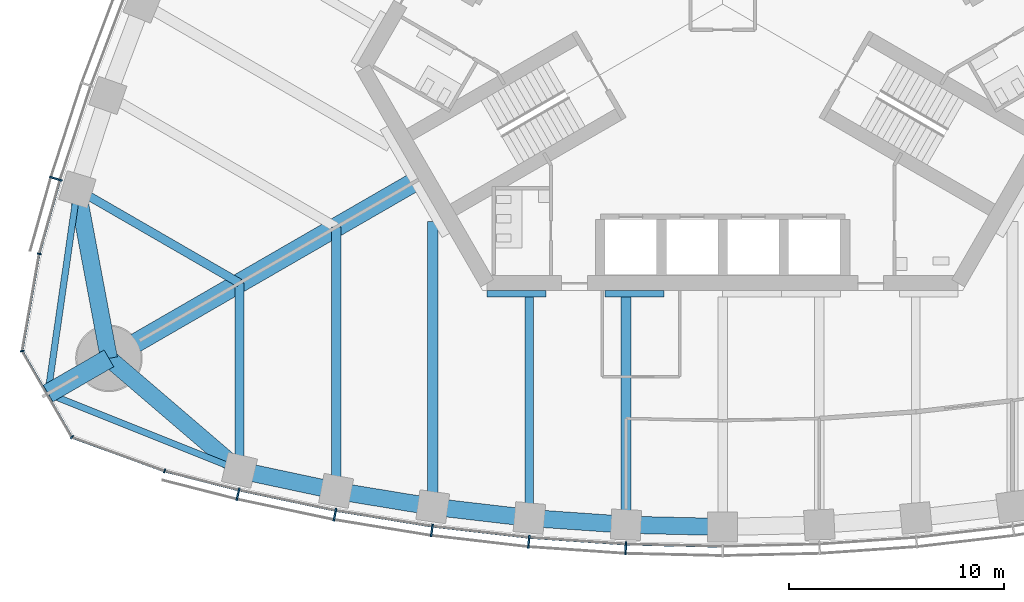
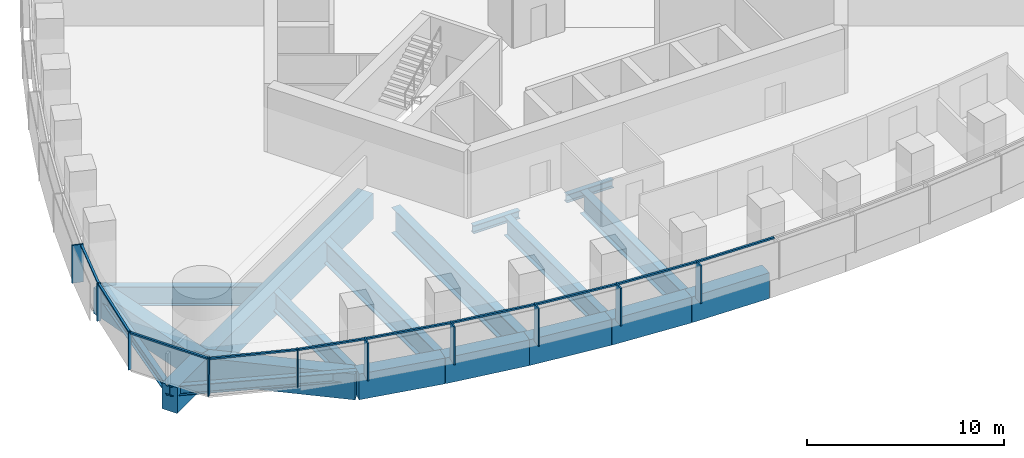
# One storey, part 2 of 19: 20 members, 19 beams, 3 elements without a shape of their own.
"""IFC4 building model written with IfcOpenShell, lengths in metres."""

from ifc_helpers import new_model, si_unit, direction, frame, origin, origin_2d, place, context, subcontext, project, spatial, rectangle, i_section, extrude, material, material_profile, profile_set, type_object, element, aggregate, save


model = new_model("IFC4")

# Units and contexts
model_context = context("Model", 3, precision=1e-05, world=origin(), true_north=direction((0.0, 1.0)))
body_context = subcontext(model_context, "Body", "Model", "MODEL_VIEW")
ifc_project = project(units=[si_unit("LENGTHUNIT", "METRE"), si_unit("AREAUNIT", "SQUARE_METRE"), si_unit("VOLUMEUNIT", "CUBIC_METRE"), si_unit("PLANEANGLEUNIT", "RADIAN"), si_unit("MASSUNIT", "GRAM", prefix="KILO")], contexts=[model_context])

# Site, building, storey
site_placement = place(None, origin())
site = spatial("IfcSite", under=ifc_project, at=site_placement, CompositionType="ELEMENT")
building_placement = place(site_placement, origin())
building = spatial("IfcBuilding", under=site, at=building_placement, Name="Trefoil Bronze Tower", CompositionType="ELEMENT")
storey_placement = place(building_placement, frame((0.0, 0.0, 261.10009765625)))
storey = spatial("IfcBuildingStorey", under=building, at=storey_placement, Name="L60", CompositionType="ELEMENT", Elevation=261.10009765625)

# Curtain wall, members
ifc_material_1 = material(Name="Tinted solar-control glass", Category="glass")
curtain_wall_type_1 = type_object("IfcCurtainWallType", Name="Bronze office curtain wall", PredefinedType="USERDEFINED", material=ifc_material_1)
curtain_wall_1_placement = place(storey_placement, origin())
curtain_wall_1 = element("IfcCurtainWall", 1, at=curtain_wall_1_placement, inside=storey, type_object=curtain_wall_type_1, Name="CW-A L60 F1", ObjectType="CURTAIN WALL", PredefinedType="USERDEFINED")
ifc_material_2 = material(Name="Bronze-finish aluminium", Category="aluminium")
ifc_material_profile_1 = material_profile(ifc_material_2, rectangle(XDim=0.60009765625, YDim=0.080078125, at=origin_2d()), Name="CW-A mullion")
ifc_profile_set_1 = profile_set([ifc_material_profile_1], Name="Bronze-finish aluminium")
member_type_1 = type_object("IfcMemberType", Name="Bronze office curtain wall mullion", PredefinedType="MULLION", material=ifc_profile_set_1)
member_1_placement = place(storey_placement, frame((-22.568115234375, -22.82421875, 0.0), z_axis=(0.0, 0.0, 1.0), x_axis=(0.227082662569, 0.973875487093, 0.0)))
member_1 = element("IfcMember", 2, at=member_1_placement, type_object=member_type_1, Name="CW-A L60 F1 mullion 2", PredefinedType="MULLION", context=body_context, shape_type="SweptSolid", body=[
    extrude(rectangle(XDim=0.60009765625, YDim=0.080078125, at=origin_2d()), origin(), (0.0, 0.0, 1.0), 2.349853515625),
])
member_2_placement = place(storey_placement, frame((-18.05517578125, -23.77783203125, 0.0), z_axis=(0.0, 0.0, 1.0), x_axis=(0.183825368167, 0.982958917767, 0.0)))
member_2 = element("IfcMember", 3, at=member_2_placement, type_object=member_type_1, Name="CW-A L60 F1 mullion 3", PredefinedType="MULLION", context=body_context, shape_type="SweptSolid", body=[
    extrude(rectangle(XDim=0.60009765625, YDim=0.080078125, at=origin_2d()), origin(), (0.0, 0.0, 1.0), 2.349853515625),
])
member_3_placement = place(storey_placement, frame((-13.541259765625, -24.51318359375, 0.0), z_axis=(0.0, 0.0, 1.0), x_axis=(0.137867887204, 0.990450627582, 0.0)))
member_3 = element("IfcMember", 4, at=member_3_placement, type_object=member_type_1, Name="CW-A L60 F1 mullion 4", PredefinedType="MULLION", context=body_context, shape_type="SweptSolid", body=[
    extrude(rectangle(XDim=0.60009765625, YDim=0.080078125, at=origin_2d()), origin(), (0.0, 0.0, 1.0), 2.349853515625),
])
member_4_placement = place(storey_placement, frame((-9.027587890625, -25.03515625, 0.0), z_axis=(0.0, 0.0, 1.0), x_axis=(0.091911396394, 0.995767189263, 0.0)))
member_4 = element("IfcMember", 5, at=member_4_placement, type_object=member_type_1, Name="CW-A L60 F1 mullion 5", PredefinedType="MULLION", context=body_context, shape_type="SweptSolid", body=[
    extrude(rectangle(XDim=0.60009765625, YDim=0.080078125, at=origin_2d()), origin(), (0.0, 0.0, 1.0), 2.349853515625),
])
member_5_placement = place(storey_placement, frame((-4.513671875, -25.346923828125, 0.0), z_axis=(0.0, 0.0, 1.0), x_axis=(0.045955542372, 0.998943485952, 0.0)))
member_5 = element("IfcMember", 6, at=member_5_placement, type_object=member_type_1, Name="CW-A L60 F1 mullion 6", PredefinedType="MULLION", context=body_context, shape_type="SweptSolid", body=[
    extrude(rectangle(XDim=0.60009765625, YDim=0.080078125, at=origin_2d()), origin(), (0.0, 0.0, 1.0), 2.349853515625),
])

# Curtain wall, member
curtain_wall_2_placement = place(storey_placement, origin())
curtain_wall_2 = element("IfcCurtainWall", 7, at=curtain_wall_2_placement, inside=storey, type_object=curtain_wall_type_1, Name="CW-A L60 F3", ObjectType="CURTAIN WALL", PredefinedType="USERDEFINED")
member_6_placement = place(storey_placement, frame((-31.05029296875, -8.132568359375, 0.0), z_axis=(0.0, 0.0, 1.0), x_axis=(0.95694224323, -0.290278389002, 0.0)))
member_6 = element("IfcMember", 8, at=member_6_placement, type_object=member_type_1, Name="CW-A L60 F3 mullion 12", PredefinedType="MULLION", context=body_context, shape_type="SweptSolid", body=[
    extrude(rectangle(XDim=0.60009765625, YDim=0.080078125, at=origin_2d()), origin(), (0.0, 0.0, 1.0), 2.349853515625),
])

# Member
ifc_material_3 = material(Name="Bronze-finish aluminium", Category="aluminium")
ifc_material_profile_2 = material_profile(ifc_material_3, rectangle(XDim=0.1201171875, YDim=0.10009765625, at=origin_2d()), Name="CW-A transom")
ifc_profile_set_2 = profile_set([ifc_material_profile_2], Name="Bronze-finish aluminium")
member_type_2 = type_object("IfcMemberType", Name="Bronze office curtain wall transom", PredefinedType="USERDEFINED", material=ifc_profile_set_2)
member_7_placement = place(storey_placement, frame((-25.93896484375, -21.75732421875, 2.2998046875), z_axis=(0.968935220916, -0.247314653162, 0.0), x_axis=(0.247314653162, 0.968935220916, 0.0)))
member_7 = element("IfcMember", 9, at=member_7_placement, type_object=member_type_2, Name="CW-A L60 F1 transom 1", ObjectType="TRANSOM", PredefinedType="USERDEFINED", context=body_context, shape_type="SweptSolid", body=[
    extrude(rectangle(XDim=0.1201171875, YDim=0.10009765625, at=origin_2d()), origin(), (0.0, 0.0, 1.0), 3.483642578125),
])

member_8_placement = place(storey_placement, frame((-22.4814453125, -22.63818359375, 2.2998046875), z_axis=(0.978395325657, -0.20674280334, 0.0), x_axis=(0.20674280334, 0.978395325657, 0.0)))
member_8 = element("IfcMember", 10, at=member_8_placement, type_object=member_type_2, Name="CW-A L60 F1 transom 2", ObjectType="TRANSOM", PredefinedType="USERDEFINED", context=body_context, shape_type="SweptSolid", body=[
    extrude(rectangle(XDim=0.1201171875, YDim=0.10009765625, at=origin_2d()), origin(), (0.0, 0.0, 1.0), 4.519287109375),
])

member_9_placement = place(storey_placement, frame((-17.9765625, -23.588134765625, 2.2998046875), z_axis=(0.986988367046, -0.160791676761, 0.0), x_axis=(0.160791676761, 0.986988367046, 0.0)))
member_9 = element("IfcMember", 11, at=member_9_placement, type_object=member_type_2, Name="CW-A L60 F1 transom 3", ObjectType="TRANSOM", PredefinedType="USERDEFINED", context=body_context, shape_type="SweptSolid", body=[
    extrude(rectangle(XDim=0.1201171875, YDim=0.10009765625, at=origin_2d()), origin(), (0.0, 0.0, 1.0), 4.479248046875),
])

member_10_placement = place(storey_placement, frame((-13.4716796875, -24.320068359375, 2.2998046875), z_axis=(0.993384885596, -0.114832352013, 0.0), x_axis=(0.114832352013, 0.993384885596, 0.0)))
member_10 = element("IfcMember", 12, at=member_10_placement, type_object=member_type_2, Name="CW-A L60 F1 transom 4", ObjectType="TRANSOM", PredefinedType="USERDEFINED", context=body_context, shape_type="SweptSolid", body=[
    extrude(rectangle(XDim=0.1201171875, YDim=0.10009765625, at=origin_2d()), origin(), (0.0, 0.0, 1.0), 4.449951171875),
])

member_11_placement = place(storey_placement, frame((-8.967041015625, -24.8388671875, 2.2998046875), z_axis=(0.997621320987, -0.06893257512, 0.0), x_axis=(0.06893257512, 0.997621320987, 0.0)))
member_11 = element("IfcMember", 13, at=member_11_placement, type_object=member_type_2, Name="CW-A L60 F1 transom 5", ObjectType="TRANSOM", PredefinedType="USERDEFINED", context=body_context, shape_type="SweptSolid", body=[
    extrude(rectangle(XDim=0.1201171875, YDim=0.10009765625, at=origin_2d()), origin(), (0.0, 0.0, 1.0), 4.4306640625),
])

member_12_placement = place(storey_placement, frame((-4.46240234375, -25.148193359375, 2.2998046875), z_axis=(0.999736131416, -0.022971015226, 0.0), x_axis=(0.022971015226, 0.999736131416, 0.0)))
member_12 = element("IfcMember", 14, at=member_12_placement, type_object=member_type_2, Name="CW-A L60 F1 transom 6", ObjectType="TRANSOM", PredefinedType="USERDEFINED", context=body_context, shape_type="SweptSolid", body=[
    extrude(rectangle(XDim=0.1201171875, YDim=0.10009765625, at=origin_2d()), origin(), (0.0, 0.0, 1.0), 4.42138671875),
])

aggregate(curtain_wall_1, [member_1, member_2, member_3, member_4, member_5, member_7, member_8, member_9, member_10, member_11, member_12])

member_13_placement = place(storey_placement, frame((-30.870361328125, -8.23095703125, 2.2998046875), z_axis=(-0.270284880437, -0.962780392097, 0.0), x_axis=(0.962780392097, -0.270284880437, 0.0)))
member_13 = element("IfcMember", 15, at=member_13_placement, type_object=member_type_2, Name="CW-A L60 F3 transom 12", ObjectType="TRANSOM", PredefinedType="USERDEFINED", context=body_context, shape_type="SweptSolid", body=[
    extrude(rectangle(XDim=0.1201171875, YDim=0.10009765625, at=origin_2d()), origin(), (0.0, 0.0, 1.0), 3.48388671875),
])

aggregate(curtain_wall_2, [member_6, member_13])

# Curtain wall, members
ifc_material_4 = material(Name="Tinted solar-control glass", Category="glass")
curtain_wall_type_2 = type_object("IfcCurtainWallType", Name="Bronze rounded corner curtain wall", PredefinedType="USERDEFINED", material=ifc_material_4)
curtain_wall_3_placement = place(storey_placement, origin())
curtain_wall_3 = element("IfcCurtainWall", 16, at=curtain_wall_3_placement, inside=storey, type_object=curtain_wall_type_2, Name="CW-B L60 K3", ObjectType="CURTAIN WALL", PredefinedType="USERDEFINED")
ifc_material_5 = material(Name="Bronze-finish aluminium", Category="aluminium")
ifc_material_profile_3 = material_profile(ifc_material_5, rectangle(XDim=0.199951171875, YDim=0.06005859375, at=origin_2d()), Name="CW-B mullion")
ifc_profile_set_3 = profile_set([ifc_material_profile_3], Name="Bronze-finish aluminium")
member_type_3 = type_object("IfcMemberType", Name="Bronze rounded corner curtain wall mullion", PredefinedType="MULLION", material=ifc_profile_set_3)
member_14_placement = place(storey_placement, frame((-31.824951171875, -11.63330078125, 0.0), z_axis=(0.0, 0.0, 1.0), x_axis=(0.984807753012, -0.173648177667, 0.0)))
member_14 = element("IfcMember", 17, at=member_14_placement, type_object=member_type_3, Name="CW-B L60 K3 mullion 1", PredefinedType="MULLION", context=body_context, shape_type="SweptSolid", body=[
    extrude(rectangle(XDim=0.199951171875, YDim=0.06005859375, at=origin_2d()), origin(), (0.0, 0.0, 1.0), 2.349853515625),
])
member_15_placement = place(storey_placement, frame((-32.616943359375, -16.158935546875, 0.0), z_axis=(0.0, 0.0, 1.0), x_axis=(0.984807753012, 0.173648177667, 0.0)))
member_15 = element("IfcMember", 18, at=member_15_placement, type_object=member_type_3, Name="CW-B L60 K3 mullion 2", PredefinedType="MULLION", context=body_context, shape_type="SweptSolid", body=[
    extrude(rectangle(XDim=0.199951171875, YDim=0.06005859375, at=origin_2d()), origin(), (0.0, 0.0, 1.0), 2.349853515625),
])
member_16_placement = place(storey_placement, frame((-30.302490234375, -20.16748046875, 0.0), z_axis=(0.0, 0.0, 1.0), x_axis=(0.642787609687, 0.766044443119, 0.0)))
member_16 = element("IfcMember", 19, at=member_16_placement, type_object=member_type_3, Name="CW-B L60 K3 mullion 3", PredefinedType="MULLION", context=body_context, shape_type="SweptSolid", body=[
    extrude(rectangle(XDim=0.199951171875, YDim=0.06005859375, at=origin_2d()), origin(), (0.0, 0.0, 1.0), 2.349853515625),
])
member_17_placement = place(storey_placement, frame((-25.9873046875, -21.74462890625, 0.0), z_axis=(0.0, 0.0, 1.0), x_axis=(0.342020143326, 0.939692620786, 0.0)))
member_17 = element("IfcMember", 20, at=member_17_placement, type_object=member_type_3, Name="CW-B L60 K3 mullion 4", PredefinedType="MULLION", context=body_context, shape_type="SweptSolid", body=[
    extrude(rectangle(XDim=0.199951171875, YDim=0.06005859375, at=origin_2d()), origin(), (0.0, 0.0, 1.0), 2.349853515625),
])
ifc_material_6 = material(Name="Bronze-finish aluminium", Category="aluminium")
ifc_material_profile_4 = material_profile(ifc_material_6, rectangle(XDim=0.1201171875, YDim=0.10009765625, at=origin_2d()), Name="CW-B transom")
ifc_profile_set_4 = profile_set([ifc_material_profile_4], Name="Bronze-finish aluminium")
member_type_4 = type_object("IfcMemberType", Name="Bronze rounded corner curtain wall transom", PredefinedType="USERDEFINED", material=ifc_profile_set_4)
member_18_placement = place(storey_placement, frame((-31.830078125, -11.662841796875, 2.2998046875), z_axis=(-0.173655350028, -0.984806488304, 0.0), x_axis=(0.984806488304, -0.173655350028, 0.0)))
member_18 = element("IfcMember", 21, at=member_18_placement, type_object=member_type_4, Name="CW-B L60 K3 transom 1", ObjectType="TRANSOM", PredefinedType="USERDEFINED", context=body_context, shape_type="SweptSolid", body=[
    extrude(rectangle(XDim=0.1201171875, YDim=0.10009765625, at=origin_2d()), origin(), (0.0, 0.0, 1.0), 4.500244140625),
])
member_19_placement = place(storey_placement, frame((-32.590087890625, -16.217529296875, 2.2998046875), z_axis=(0.500007335828, -0.866021168401, 0.0), x_axis=(0.866021168401, 0.500007335828, 0.0)))
member_19 = element("IfcMember", 22, at=member_19_placement, type_object=member_type_4, Name="CW-B L60 K3 transom 2", ObjectType="TRANSOM", PredefinedType="USERDEFINED", context=body_context, shape_type="SweptSolid", body=[
    extrude(rectangle(XDim=0.1201171875, YDim=0.10009765625, at=origin_2d()), origin(), (0.0, 0.0, 1.0), 4.50048828125),
])
member_20_placement = place(storey_placement, frame((-30.244140625, -20.195068359375, 2.2998046875), z_axis=(0.939680910753, -0.342052314664, 0.0), x_axis=(0.342052314664, 0.939680910753, 0.0)))
member_20 = element("IfcMember", 23, at=member_20_placement, type_object=member_type_4, Name="CW-B L60 K3 transom 3", ObjectType="TRANSOM", PredefinedType="USERDEFINED", context=body_context, shape_type="SweptSolid", body=[
    extrude(rectangle(XDim=0.1201171875, YDim=0.10009765625, at=origin_2d()), origin(), (0.0, 0.0, 1.0), 4.500244140625),
])
aggregate(curtain_wall_3, [member_14, member_15, member_16, member_17, member_18, member_19, member_20])

# Beams
ifc_material_7 = material(Name="Steel C355", Category="steel")
ifc_material_profile_5 = material_profile(ifc_material_7, i_section(OverallWidth=0.300048828125, OverallDepth=0.5, WebThickness=0.014404296875, FlangeThickness=0.028076171875, FilletRadius=0.027099609375, at=origin_2d()), Name="HEB 500")
ifc_profile_set_5 = profile_set([ifc_material_profile_5], Name="Steel C355")
beam_type_1 = type_object("IfcBeamType", Name="Core seat beam HEB 500", PredefinedType="BEAM", material=ifc_profile_set_5)
for number, where, z_axis, x_axis, name in (
    (24, (-10.9697265625, -13.5, -0.4501953125), (1.0, 0.0, 0.0), (0.0, 1.0, 0.0), "Core seat beam F1/-2 L60"),
    (25, (-5.48486328125, -13.5, -0.4501953125), (1.0, 0.0, 0.0), (0.0, 1.0, 0.0), "Core seat beam F1/-1 L60"),
):
    element("IfcBeam", number, at=place(storey_placement, frame(where, z_axis=z_axis, x_axis=x_axis)), inside=storey, type_object=beam_type_1, Name=name, PredefinedType="BEAM", context=body_context, shape_type="SweptSolid", body=[
        extrude(i_section(OverallWidth=0.300048828125, OverallDepth=0.5, WebThickness=0.014404296875, FlangeThickness=0.028076171875, FilletRadius=0.027099609375, at=origin_2d()), origin(), (0.0, 0.0, 1.0), 2.742431640625),
    ])
ifc_material_8 = material(Name="Concrete B80", Category="concrete")
ifc_material_profile_6 = material_profile(ifc_material_8, rectangle(XDim=0.89990234375, YDim=1.60009765625, at=origin_2d()), Name="RC 900x1600")
ifc_profile_set_6 = profile_set([ifc_material_profile_6], Name="Concrete B80")
beam_type_2 = type_object("IfcBeamType", Name="Corner cantilever RC 900x1600", PredefinedType="BEAM", material=ifc_profile_set_6)
beam_1_placement = place(storey_placement, frame((-28.578857421875, -16.5, -1.0), z_axis=(-0.866016004958, -0.500016278891, 0.0), x_axis=(0.500016278891, -0.866016004958, 0.0)))
element("IfcBeam", 26, at=beam_1_placement, inside=storey, type_object=beam_type_2, Name="Corner cantilever K3 L60", PredefinedType="BEAM", context=body_context, shape_type="SweptSolid", body=[
    extrude(rectangle(XDim=0.89990234375, YDim=1.60009765625, at=origin_2d()), origin(), (0.0, 0.0, 1.0), 3.28466796875),
])
ifc_material_9 = material(Name="Steel C355", Category="steel")
ifc_material_profile_7 = material_profile(ifc_material_9, i_section(OverallWidth=0.300048828125, OverallDepth=0.60009765625, WebThickness=0.015380859375, FlangeThickness=0.030029296875, FilletRadius=0.027099609375, at=origin_2d()), Name="HEB 600")
ifc_profile_set_7 = profile_set([ifc_material_profile_7], Name="Steel C355")
beam_type_3 = type_object("IfcBeamType", Name="Corner edge beam HEB 600", PredefinedType="BEAM", material=ifc_profile_set_7)
for number, where, z_axis, x_axis, name in (
    (27, (-22.5, -21.71044921875, -0.5), (-0.92852048463, 0.371281173266, 0.0), (-0.371281173266, -0.92852048463, 0.0), "Corner edge beam F1B L60"),
    (28, (-30.052001953125, -8.63037109375, -0.5), (-0.142694489722, -0.989766781925, 0.0), (0.989766781925, -0.142694489722, 0.0), "Corner edge beam F3A L60"),
):
    element("IfcBeam", number, at=place(storey_placement, frame(where, z_axis=z_axis, x_axis=x_axis)), inside=storey, type_object=beam_type_3, Name=name, PredefinedType="BEAM", context=body_context, shape_type="SweptSolid", body=[
        extrude(i_section(OverallWidth=0.300048828125, OverallDepth=0.60009765625, WebThickness=0.015380859375, FlangeThickness=0.030029296875, FilletRadius=0.027099609375, at=origin_2d()), origin(), (0.0, 0.0, 1.0), 9.6103515625),
    ])
ifc_material_10 = material(Name="Concrete B80", Category="concrete")
ifc_material_profile_8 = material_profile(ifc_material_10, rectangle(XDim=0.89990234375, YDim=1.60009765625, at=origin_2d()), Name="RC 900x1600")
ifc_profile_set_8 = profile_set([ifc_material_profile_8], Name="Concrete B80")
beam_type_4 = type_object("IfcBeamType", Name="Corner girder RC 900x1600", PredefinedType="BEAM", material=ifc_profile_set_8)
beam_2_placement = place(storey_placement, frame((-14.159423828125, -8.175048828125, -1.0), z_axis=(-0.866028334591, -0.49999492366, 0.0), x_axis=(0.49999492366, -0.866028334591, 0.0)))
element("IfcBeam", 29, at=beam_2_placement, inside=storey, type_object=beam_type_4, Name="Corner girder K3 L60", PredefinedType="BEAM", context=body_context, shape_type="SweptSolid", body=[
    extrude(rectangle(XDim=0.89990234375, YDim=1.60009765625, at=origin_2d()), origin(), (0.0, 0.0, 1.0), 16.650146484375),
])
ifc_material_11 = material(Name="Concrete B80", Category="concrete")
ifc_material_profile_9 = material_profile(ifc_material_11, rectangle(XDim=0.800048828125, YDim=1.60009765625, at=origin_2d()), Name="RC 800x1600")
ifc_profile_set_9 = profile_set([ifc_material_profile_9], Name="Concrete B80")
beam_type_5 = type_object("IfcBeamType", Name="End spandrel beam RC 800x1600", PredefinedType="SPANDREL", material=ifc_profile_set_9)
for number, where, z_axis, x_axis, name in (
    (30, (-28.578857421875, -16.5, -1.0), (0.759256602365, -0.650791373456, 0.0), (0.650791373456, 0.759256602365, 0.0), "Spandrel F1.1 L60"),
    (31, (-30.052001953125, -8.63037109375, -1.0), (0.18399763073, -0.982926686933, 0.0), (0.982926686933, 0.18399763073, 0.0), "Spandrel F3.12 L60"),
):
    element("IfcBeam", number, at=place(storey_placement, frame(where, z_axis=z_axis, x_axis=x_axis)), inside=storey, type_object=beam_type_5, Name=name, PredefinedType="SPANDREL", context=body_context, shape_type="SweptSolid", body=[
        extrude(rectangle(XDim=0.800048828125, YDim=1.60009765625, at=origin_2d()), origin(), (0.0, 0.0, 1.0), 8.00634765625),
    ])
ifc_material_12 = material(Name="Steel C355", Category="steel")
ifc_material_profile_10 = material_profile(ifc_material_12, i_section(OverallWidth=0.39990234375, OverallDepth=1.199951171875, WebThickness=0.02001953125, FlangeThickness=0.0400390625, FilletRadius=0.010009765625, at=origin_2d()), Name="WPG 1200")
ifc_profile_set_10 = profile_set([ifc_material_profile_10], Name="Steel C355")
beam_type_6 = type_object("IfcBeamType", Name="Floor beam WPG 1200", PredefinedType="BEAM", material=ifc_profile_set_10)
beam_3_placement = place(storey_placement, frame((-22.5, -21.71044921875, -0.800048828125), z_axis=(0.0, 1.0, 0.0), x_axis=(-1.0, 0.0, 0.0)))
element("IfcBeam", 32, at=beam_3_placement, inside=storey, type_object=beam_type_6, Name="Floor beam F1/-5 L60", PredefinedType="BEAM", context=body_context, shape_type="SweptSolid", body=[
    extrude(i_section(OverallWidth=0.39990234375, OverallDepth=1.199951171875, WebThickness=0.02001953125, FlangeThickness=0.0400390625, FilletRadius=0.010009765625, at=origin_2d()), origin(), (0.0, 0.0, 1.0), 8.719970703125),
])
beam_4_placement = place(storey_placement, frame((-9.0, -23.932861328125, -0.800048828125), z_axis=(0.0, 1.0, 0.0), x_axis=(-1.0, 0.0, 0.0)))
element("IfcBeam", 33, at=beam_4_placement, inside=storey, type_object=beam_type_6, Name="Floor beam F1/-2 L60", PredefinedType="BEAM", context=body_context, shape_type="SweptSolid", body=[
    extrude(i_section(OverallWidth=0.39990234375, OverallDepth=1.199951171875, WebThickness=0.02001953125, FlangeThickness=0.0400390625, FilletRadius=0.010009765625, at=origin_2d()), origin(), (0.0, 0.0, 1.0), 10.282958984375),
])
beam_5_placement = place(storey_placement, frame((-30.052001953125, -8.63037109375, -0.800048828125), z_axis=(0.866027535932, -0.499996306993, 0.0), x_axis=(0.499996306993, 0.866027535932, 0.0)))
element("IfcBeam", 34, at=beam_5_placement, inside=storey, type_object=beam_type_6, Name="Floor beam F3/+5 L60", PredefinedType="BEAM", context=body_context, shape_type="SweptSolid", body=[
    extrude(i_section(OverallWidth=0.39990234375, OverallDepth=1.199951171875, WebThickness=0.02001953125, FlangeThickness=0.0400390625, FilletRadius=0.010009765625, at=origin_2d()), origin(), (0.0, 0.0, 1.0), 8.72021484375),
])
ifc_material_13 = material(Name="Steel C355", Category="steel")
ifc_material_profile_11 = material_profile(ifc_material_13, i_section(OverallWidth=0.449951171875, OverallDepth=1.39990234375, WebThickness=0.02294921875, FlangeThickness=0.044921875, FilletRadius=0.011962890625, at=origin_2d()), Name="WPG 1400")
ifc_profile_set_11 = profile_set([ifc_material_profile_11], Name="Steel C355")
beam_type_7 = type_object("IfcBeamType", Name="Floor beam WPG 1400", PredefinedType="BEAM", material=ifc_profile_set_11)
beam_6_placement = place(storey_placement, frame((-18.0, -22.6689453125, -0.900146484375), z_axis=(0.0, 1.0, 0.0), x_axis=(-1.0, 0.0, 0.0)))
element("IfcBeam", 35, at=beam_6_placement, inside=storey, type_object=beam_type_7, Name="Floor beam F1/-4 L60", PredefinedType="BEAM", context=body_context, shape_type="SweptSolid", body=[
    extrude(i_section(OverallWidth=0.449951171875, OverallDepth=1.39990234375, WebThickness=0.02294921875, FlangeThickness=0.044921875, FilletRadius=0.011962890625, at=origin_2d()), origin(), (0.0, 0.0, 1.0), 12.276611328125),
])
beam_7_placement = place(storey_placement, frame((-4.5, -24.246337890625, -0.900146484375), z_axis=(0.0, 1.0, 0.0), x_axis=(-1.0, 0.0, 0.0)))
element("IfcBeam", 36, at=beam_7_placement, inside=storey, type_object=beam_type_7, Name="Floor beam F1/-1 L60", PredefinedType="BEAM", context=body_context, shape_type="SweptSolid", body=[
    extrude(i_section(OverallWidth=0.449951171875, OverallDepth=1.39990234375, WebThickness=0.02294921875, FlangeThickness=0.044921875, FilletRadius=0.011962890625, at=origin_2d()), origin(), (0.0, 0.0, 1.0), 10.596435546875),
])
ifc_material_14 = material(Name="Steel C355", Category="steel")
ifc_material_profile_12 = material_profile(ifc_material_14, i_section(OverallWidth=0.5, OverallDepth=1.60009765625, WebThickness=0.02587890625, FlangeThickness=0.050048828125, FilletRadius=0.011962890625, at=origin_2d()), Name="WPG 1600")
ifc_profile_set_12 = profile_set([ifc_material_profile_12], Name="Steel C355")
beam_type_8 = type_object("IfcBeamType", Name="Floor beam WPG 1600", PredefinedType="BEAM", material=ifc_profile_set_12)
beam_8_placement = place(storey_placement, frame((-13.5, -23.408447265625, -1.0), z_axis=(0.0, 1.0, 0.0), x_axis=(-1.0, 0.0, 0.0)))
element("IfcBeam", 37, at=beam_8_placement, inside=storey, type_object=beam_type_8, Name="Floor beam F1/-3 L60", PredefinedType="BEAM", context=body_context, shape_type="SweptSolid", body=[
    extrude(i_section(OverallWidth=0.5, OverallDepth=1.60009765625, WebThickness=0.02587890625, FlangeThickness=0.050048828125, FilletRadius=0.011962890625, at=origin_2d()), origin(), (0.0, 0.0, 1.0), 13.291015625),
])
ifc_material_15 = material(Name="Concrete B80", Category="concrete")
ifc_material_profile_13 = material_profile(ifc_material_15, rectangle(XDim=0.800048828125, YDim=1.60009765625, at=origin_2d()), Name="RC 800x1600")
ifc_profile_set_13 = profile_set([ifc_material_profile_13], Name="Concrete B80")
beam_type_9 = type_object("IfcBeamType", Name="Spandrel beam RC 800x1600", PredefinedType="SPANDREL", material=ifc_profile_set_13)
beam_9_placement = place(storey_placement, frame((-22.5, -21.71044921875, -1.0), z_axis=(0.978059483036, -0.208325820877, 0.0), x_axis=(0.208325820877, 0.978059483036, 0.0)))
element("IfcBeam", 38, at=beam_9_placement, inside=storey, type_object=beam_type_9, Name="Spandrel F1.2 L60", PredefinedType="SPANDREL", context=body_context, shape_type="SweptSolid", body=[
    extrude(rectangle(XDim=0.800048828125, YDim=1.60009765625, at=origin_2d()), origin(), (0.0, 0.0, 1.0), 4.600830078125),
])
beam_10_placement = place(storey_placement, frame((-18.0, -22.6689453125, -1.0), z_axis=(0.986764681833, -0.162158757664, 0.0), x_axis=(0.162158757664, 0.986764681833, 0.0)))
element("IfcBeam", 39, at=beam_10_placement, inside=storey, type_object=beam_type_9, Name="Spandrel F1.3 L60", PredefinedType="SPANDREL", context=body_context, shape_type="SweptSolid", body=[
    extrude(rectangle(XDim=0.800048828125, YDim=1.60009765625, at=origin_2d()), origin(), (0.0, 0.0, 1.0), 4.560302734375),
])
beam_11_placement = place(storey_placement, frame((-13.5, -23.408447265625, -1.0), z_axis=(0.993278017132, -0.115753102257, 0.0), x_axis=(0.115753102257, 0.993278017132, 0.0)))
element("IfcBeam", 40, at=beam_11_placement, inside=storey, type_object=beam_type_9, Name="Spandrel F1.4 L60", PredefinedType="SPANDREL", context=body_context, shape_type="SweptSolid", body=[
    extrude(rectangle(XDim=0.800048828125, YDim=1.60009765625, at=origin_2d()), origin(), (0.0, 0.0, 1.0), 4.530517578125),
])
beam_12_placement = place(storey_placement, frame((-9.0, -23.932861328125, -1.0), z_axis=(0.997582435881, -0.069493047291, 0.0), x_axis=(0.069493047291, 0.997582435881, 0.0)))
element("IfcBeam", 41, at=beam_12_placement, inside=storey, type_object=beam_type_9, Name="Spandrel F1.5 L60", PredefinedType="SPANDREL", context=body_context, shape_type="SweptSolid", body=[
    extrude(rectangle(XDim=0.800048828125, YDim=1.60009765625, at=origin_2d()), origin(), (0.0, 0.0, 1.0), 4.510986328125),
])
beam_13_placement = place(storey_placement, frame((-4.5, -24.246337890625, -1.0), z_axis=(0.999731770792, -0.023160018779, 0.0), x_axis=(0.023160018779, 0.999731770792, 0.0)))
element("IfcBeam", 42, at=beam_13_placement, inside=storey, type_object=beam_type_9, Name="Spandrel F1.6 L60", PredefinedType="SPANDREL", context=body_context, shape_type="SweptSolid", body=[
    extrude(rectangle(XDim=0.800048828125, YDim=1.60009765625, at=origin_2d()), origin(), (0.0, 0.0, 1.0), 4.501220703125),
])

save(model, "model.ifc")
